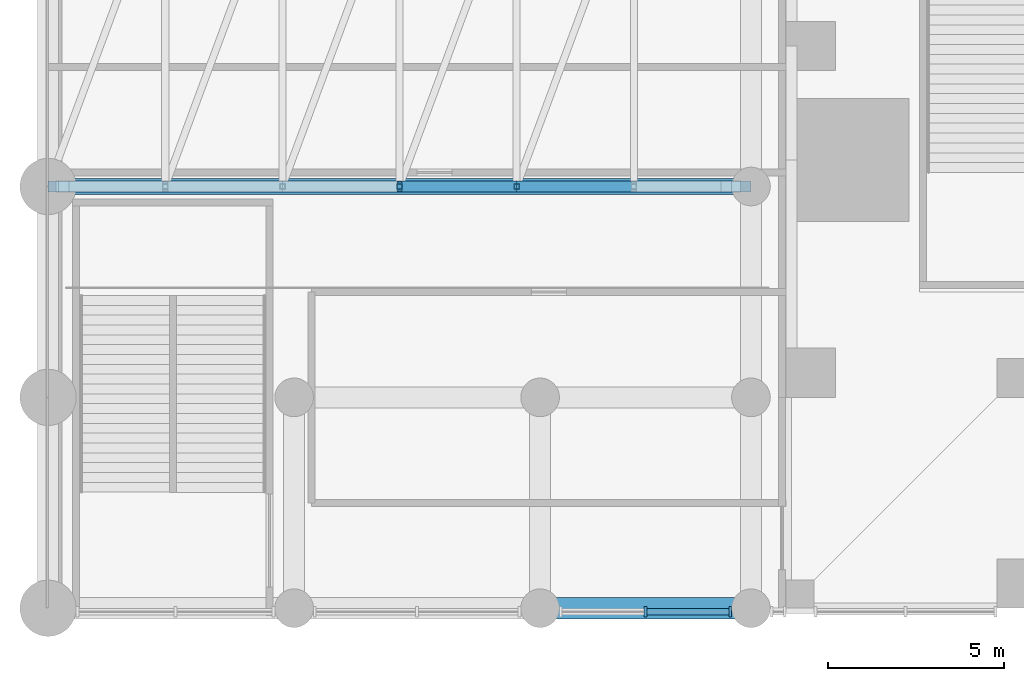
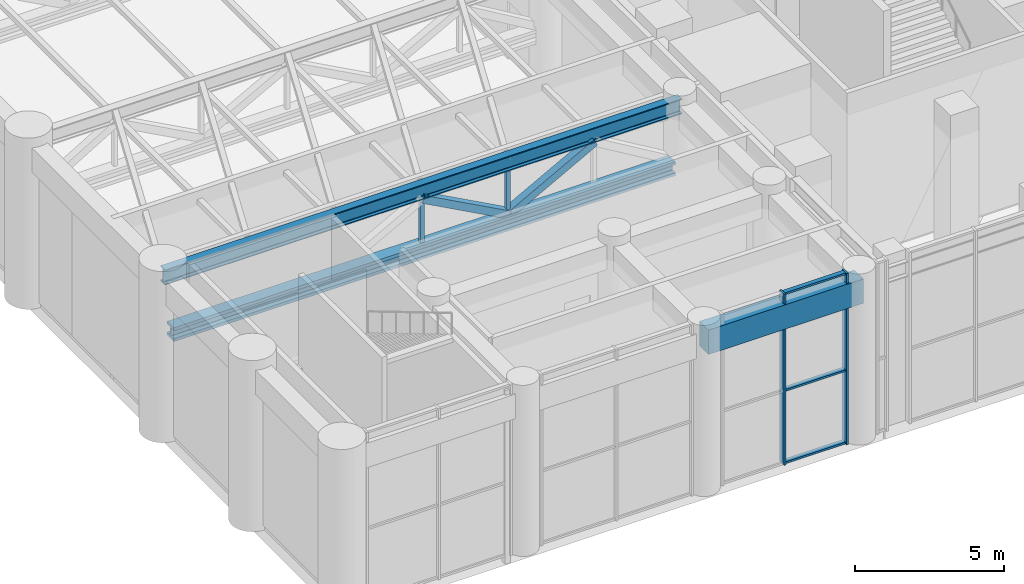
# One storey, part 3 of 30: 11 members, 1 beam, 1 element without a shape of its own.
"""IFC4 building model written with IfcOpenShell, lengths in metres."""

from ifc_helpers import new_model, si_unit, direction, frame, origin, origin_2d, place, context, subcontext, project, spatial, rectangle, hollow_rectangle, i_section, extrude, material, material_profile, profile_set, type_object, element, aggregate, save


model = new_model("IFC4")

# Units and contexts
model_context = context("Model", 3, precision=1e-05, world=origin(), true_north=direction((0.0, 1.0)))
body_context = subcontext(model_context, "Body", "Model", "MODEL_VIEW")
ifc_project = project(units=[si_unit("LENGTHUNIT", "METRE"), si_unit("AREAUNIT", "SQUARE_METRE"), si_unit("VOLUMEUNIT", "CUBIC_METRE"), si_unit("PLANEANGLEUNIT", "RADIAN"), si_unit("MASSUNIT", "GRAM", prefix="KILO")], contexts=[model_context])

# Site, building, storey
site_placement = place(None, origin())
site = spatial("IfcSite", under=ifc_project, at=site_placement, CompositionType="ELEMENT")
building_placement = place(site_placement, origin())
building = spatial("IfcBuilding", under=site, at=building_placement, Name="Svetlomir Tower", CompositionType="ELEMENT")
storey_placement = place(building_placement, frame((0.0, 0.0, 11.0)))
storey = spatial("IfcBuildingStorey", under=building, at=storey_placement, Name="L02", CompositionType="ELEMENT", Elevation=11.0)

# Members
ifc_material_1 = material(Name="Steel S355", Category="steel")
ifc_material_profile_1 = material_profile(ifc_material_1, i_section(OverallWidth=0.4541015625, OverallDepth=0.569091796875, WebThickness=0.077880859375, FlangeThickness=0.125, FilletRadius=0.014892578125, at=origin_2d()), Name="HD 400x1086")
ifc_profile_set_1 = profile_set([ifc_material_profile_1], Name="Steel S355")
member_type_1 = type_object("IfcMemberType", Name="AUDITORIUM TRUSS BOTTOM CHORD HD 400x1086", PredefinedType="CHORD", material=ifc_profile_set_1)
member_1_placement = place(storey_placement, frame((-20.699951171875, 12.0, 3.889892578125), z_axis=(1.0, 0.0, 0.0), x_axis=(0.0, 1.0, 0.0)))
element("IfcMember", 1, at=member_1_placement, inside=storey, type_object=member_type_1, Name="Auditorium truss 12 bottom chord", PredefinedType="CHORD", context=body_context, shape_type="SweptSolid", body=[
    extrude(i_section(OverallWidth=0.4541015625, OverallDepth=0.569091796875, WebThickness=0.077880859375, FlangeThickness=0.125, FilletRadius=0.014892578125, at=origin_2d()), origin(), (0.0, 0.0, 1.0), 19.39990234375),
])
ifc_material_2 = material(Name="Steel S355", Category="steel")
ifc_material_profile_2 = material_profile(ifc_material_2, i_section(OverallWidth=0.304931640625, OverallDepth=0.6201171875, WebThickness=0.02099609375, FlangeThickness=0.0400390625, FilletRadius=0.027099609375, at=origin_2d()), Name="HEM 600")
ifc_profile_set_2 = profile_set([ifc_material_profile_2], Name="Steel S355")
member_type_2 = type_object("IfcMemberType", Name="AUDITORIUM TRUSS CHORD HEM 600", PredefinedType="CHORD", material=ifc_profile_set_2)
member_2_placement = place(storey_placement, frame((-21.0, 12.0, 6.2900390625), z_axis=(1.0, 0.0, 0.0), x_axis=(0.0, 1.0, 0.0)))
element("IfcMember", 2, at=member_2_placement, inside=storey, type_object=member_type_2, Name="Auditorium truss 12 top chord", PredefinedType="CHORD", context=body_context, shape_type="SweptSolid", body=[
    extrude(i_section(OverallWidth=0.304931640625, OverallDepth=0.6201171875, WebThickness=0.02099609375, FlangeThickness=0.0400390625, FilletRadius=0.027099609375, at=origin_2d()), origin(), (0.0, 0.0, 1.0), 20.0),
])
ifc_material_3 = material(Name="Steel S355", Category="steel")
ifc_material_profile_3 = material_profile(ifc_material_3, hollow_rectangle(XDim=0.300048828125, YDim=0.300048828125, WallThickness=0.02001953125, at=origin_2d()), Name="SHS 300x300x20")
ifc_profile_set_3 = profile_set([ifc_material_profile_3], Name="Steel S355")
member_type_3 = type_object("IfcMemberType", Name="AUDITORIUM TRUSS DIAGONAL SHS 300x300x20", PredefinedType="BRACE", material=ifc_profile_set_3)
member_3_placement = place(storey_placement, frame((-11.0, 12.0, 5.97998046875), z_axis=(0.879302080726, 0.0, -0.476264475717), x_axis=(0.0, 1.0, 0.0)))
element("IfcMember", 3, at=member_3_placement, inside=storey, type_object=member_type_3, Name="Auditorium truss 12 diagonal 4", PredefinedType="BRACE", context=body_context, shape_type="SweptSolid", body=[
    extrude(hollow_rectangle(XDim=0.300048828125, YDim=0.300048828125, WallThickness=0.02001953125, at=origin_2d()), origin(), (0.0, 0.0, 1.0), 3.790771484375),
])
member_4_placement = place(storey_placement, frame((-7.666748046875, 12.0, 4.174560546875), z_axis=(0.879316688011, 0.0, 0.476237506067), x_axis=(0.0, 1.0, 0.0)))
element("IfcMember", 4, at=member_4_placement, inside=storey, type_object=member_type_3, Name="Auditorium truss 12 diagonal 5", PredefinedType="BRACE", context=body_context, shape_type="SweptSolid", body=[
    extrude(hollow_rectangle(XDim=0.300048828125, YDim=0.300048828125, WallThickness=0.02001953125, at=origin_2d()), origin(), (0.0, 0.0, 1.0), 3.791015625),
])
ifc_material_4 = material(Name="Steel S355", Category="steel")
ifc_material_profile_4 = material_profile(ifc_material_4, hollow_rectangle(XDim=0.14990234375, YDim=0.14990234375, WallThickness=0.008056640625, at=origin_2d()), Name="SHS 150x150x8")
ifc_profile_set_4 = profile_set([ifc_material_profile_4], Name="Steel S355")
member_type_4 = type_object("IfcMemberType", Name="AUDITORIUM TRUSS POST SHS 150x150x8", PredefinedType="POST", material=ifc_profile_set_4)
for number, where, z_axis, x_axis, name in (
    (5, (-11.0, 12.0, 4.174560546875), (0.0, 0.0, 1.0), (1.0, 0.0, 0.0), "Auditorium truss 12 post 3"),
    (6, (-7.666748046875, 12.0, 4.174560546875), (0.0, 0.0, 1.0), (1.0, 0.0, 0.0), "Auditorium truss 12 post 4"),
):
    element("IfcMember", number, at=place(storey_placement, frame(where, z_axis=z_axis, x_axis=x_axis)), inside=storey, type_object=member_type_4, Name=name, PredefinedType="POST", context=body_context, shape_type="SweptSolid", body=[
        extrude(hollow_rectangle(XDim=0.14990234375, YDim=0.14990234375, WallThickness=0.008056640625, at=origin_2d()), origin(), (0.0, 0.0, 1.0), 1.805419921875),
    ])

# Curtain wall, members
ifc_material_5 = material(Name="Bronze anodised aluminium curtain wall", Category="aluminium")
curtain_wall_type = type_object("IfcCurtainWallType", Name="CURTAIN WALL CW5 PODIUM", PredefinedType="NOTDEFINED", material=ifc_material_5)
curtain_wall_placement = place(storey_placement, origin())
curtain_wall = element("IfcCurtainWall", 7, at=curtain_wall_placement, inside=storey, type_object=curtain_wall_type, Name="Curtain wall CW5 L02", PredefinedType="NOTDEFINED")
ifc_material_6 = material(Name="Bronze anodised aluminium", Category="aluminium")
ifc_material_profile_5 = material_profile(ifc_material_6, rectangle(XDim=0.080078125, YDim=0.300048828125, at=origin_2d()), Name="AL 80x300")
ifc_profile_set_5 = profile_set([ifc_material_profile_5], Name="Bronze anodised aluminium 6063-T6")
member_type_5 = type_object("IfcMemberType", Name="CW5 MULLION 80x300", PredefinedType="MULLION", material=ifc_profile_set_5)
member_5_placement = place(storey_placement, frame((-4.0, -0.10009765625, 0.0), z_axis=(0.0, 0.0, 1.0), x_axis=(1.0, 0.0, 0.0)))
member_5 = element("IfcMember", 8, at=member_5_placement, type_object=member_type_5, Name="CW5 mullion 2", PredefinedType="MULLION", context=body_context, shape_type="SweptSolid", body=[
    extrude(rectangle(XDim=0.080078125, YDim=0.300048828125, at=origin_2d()), origin(), (0.0, 0.0, 1.0), 7.0),
])
member_6_placement = place(storey_placement, frame((-1.590087890625, -0.10009765625, 0.0), z_axis=(0.0, 0.0, 1.0), x_axis=(1.0, 0.0, 0.0)))
member_6 = element("IfcMember", 9, at=member_6_placement, type_object=member_type_5, Name="CW5 mullion 3", PredefinedType="MULLION", context=body_context, shape_type="SweptSolid", body=[
    extrude(rectangle(XDim=0.080078125, YDim=0.300048828125, at=origin_2d()), origin(), (0.0, 0.0, 1.0), 7.0),
])
ifc_material_7 = material(Name="Bronze anodised aluminium", Category="aluminium")
ifc_material_profile_6 = material_profile(ifc_material_7, rectangle(XDim=0.179931640625, YDim=0.080078125, at=origin_2d()), Name="AL 180x80")
ifc_profile_set_6 = profile_set([ifc_material_profile_6], Name="Bronze anodised aluminium 6063-T6")
member_type_6 = type_object("IfcMemberType", Name="CW5 TRANSOM 80x180", PredefinedType="USERDEFINED", material=ifc_profile_set_6)
member_7_placement = place(storey_placement, frame((-3.9599609375, -0.10009765625, 0.0400390625), z_axis=(1.0, 0.0, 0.0), x_axis=(0.0, 1.0, 0.0)))
member_7 = element("IfcMember", 10, at=member_7_placement, type_object=member_type_6, Name="CW5 transom 2.1", ObjectType="TRANSOM", PredefinedType="USERDEFINED", context=body_context, shape_type="SweptSolid", body=[
    extrude(rectangle(XDim=0.179931640625, YDim=0.080078125, at=origin_2d()), origin(), (0.0, 0.0, 1.0), 2.330078125),
])
member_8_placement = place(storey_placement, frame((-3.9599609375, -0.10009765625, 3.0), z_axis=(1.0, 0.0, 0.0), x_axis=(0.0, 1.0, 0.0)))
member_8 = element("IfcMember", 11, at=member_8_placement, type_object=member_type_6, Name="CW5 transom 2.2", ObjectType="TRANSOM", PredefinedType="USERDEFINED", context=body_context, shape_type="SweptSolid", body=[
    extrude(rectangle(XDim=0.179931640625, YDim=0.080078125, at=origin_2d()), origin(), (0.0, 0.0, 1.0), 2.330078125),
])
member_9_placement = place(storey_placement, frame((-3.9599609375, -0.10009765625, 6.9599609375), z_axis=(1.0, 0.0, 0.0), x_axis=(0.0, 1.0, 0.0)))
member_9 = element("IfcMember", 12, at=member_9_placement, type_object=member_type_6, Name="CW5 transom 2.3", ObjectType="TRANSOM", PredefinedType="USERDEFINED", context=body_context, shape_type="SweptSolid", body=[
    extrude(rectangle(XDim=0.179931640625, YDim=0.080078125, at=origin_2d()), origin(), (0.0, 0.0, 1.0), 2.330078125),
])
aggregate(curtain_wall, [member_5, member_6, member_7, member_8, member_9])

# Beam
ifc_material_8 = material(Name="Concrete C60/75", Category="concrete")
ifc_material_profile_7 = material_profile(ifc_material_8, rectangle(XDim=0.60009765625, YDim=1.0, at=origin_2d()), Name="RC 600x1000")
ifc_profile_set_7 = profile_set([ifc_material_profile_7], Name="Concrete C60/75")
beam_type = type_object("IfcBeamType", Name="PODIUM BEAM RC 600x1000", PredefinedType="BEAM", material=ifc_profile_set_7)
beam_placement = place(storey_placement, frame((-7.0, 0.0, 6.10009765625), z_axis=(1.0, 0.0, 0.0), x_axis=(0.0, 1.0, 0.0)))
element("IfcBeam", 13, at=beam_placement, inside=storey, type_object=beam_type, Name="Podium beam -7/0 to -1/0 under L03", PredefinedType="BEAM", context=body_context, shape_type="SweptSolid", body=[
    extrude(rectangle(XDim=0.60009765625, YDim=1.0, at=origin_2d()), origin(), (0.0, 0.0, 1.0), 6.0),
])

save(model, "model.ifc")
